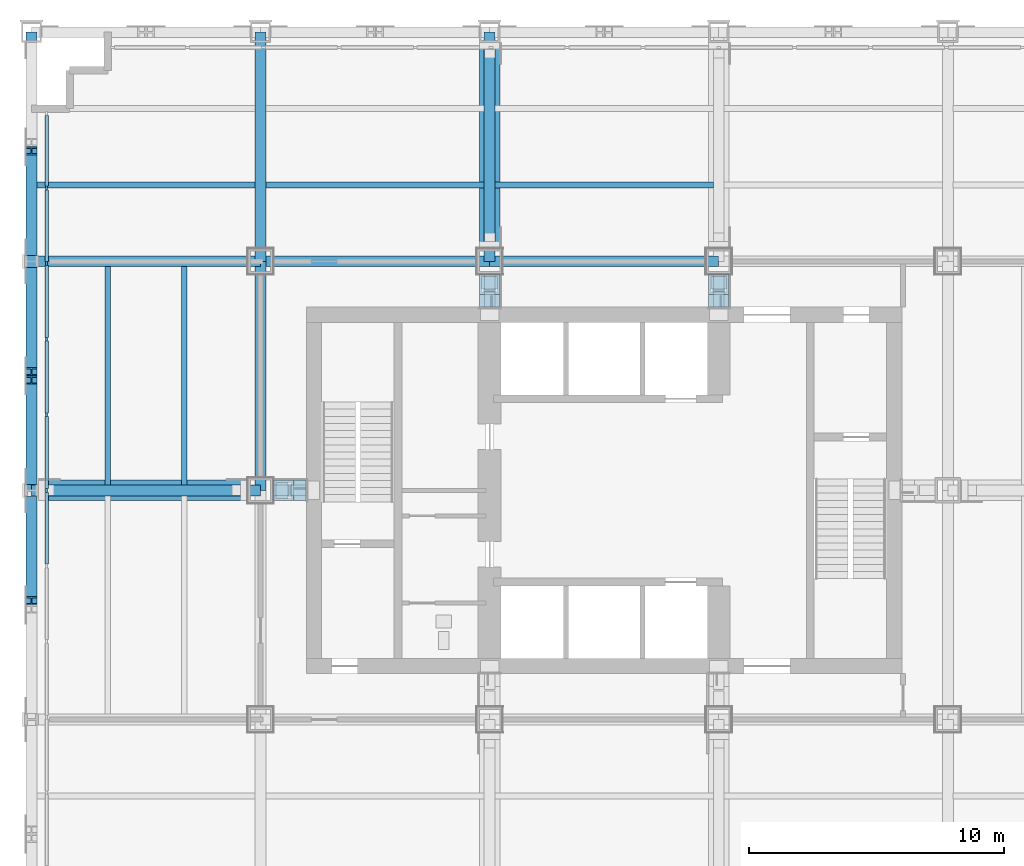
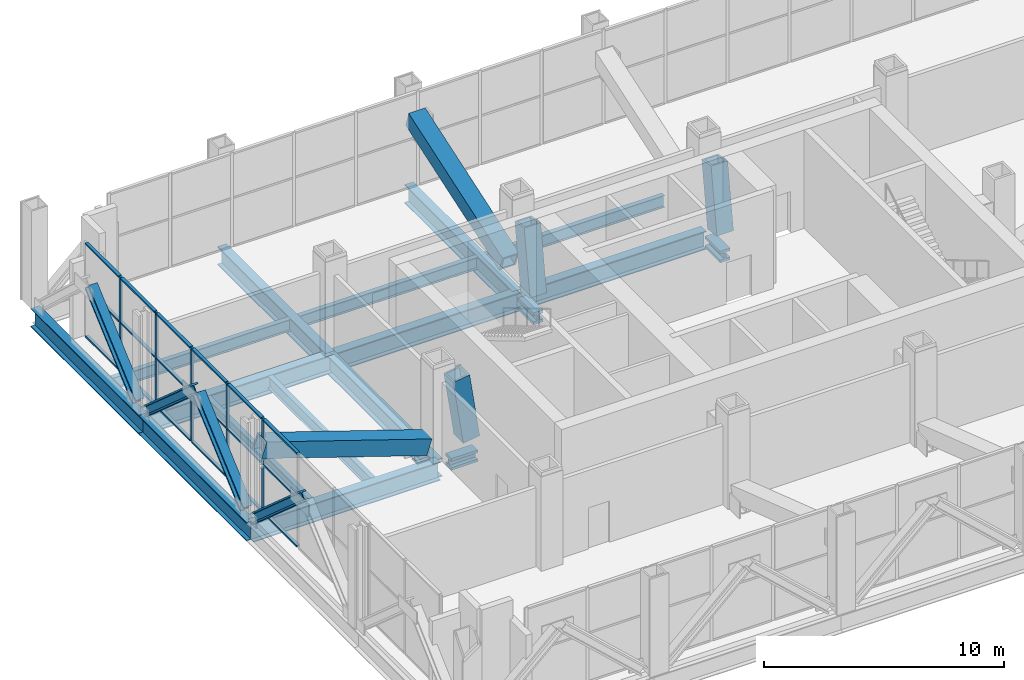
# One storey, part 4 of 19: 35 members, 14 beams, 1 element without a shape of its own.
"""IFC4 building model written with IfcOpenShell, lengths in metres."""

from ifc_helpers import new_model, si_unit, direction, frame, origin, origin_2d, place, context, subcontext, project, spatial, rectangle, hollow_rectangle, i_section, extrude, material, material_profile, profile_set, type_object, element, aggregate, save


model = new_model("IFC4")

# Units and contexts
model_context = context("Model", 3, precision=1e-05, world=origin(), true_north=direction((0.0, 1.0)))
body_context = subcontext(model_context, "Body", "Model", "MODEL_VIEW")
ifc_project = project(units=[si_unit("LENGTHUNIT", "METRE"), si_unit("AREAUNIT", "SQUARE_METRE"), si_unit("VOLUMEUNIT", "CUBIC_METRE"), si_unit("PLANEANGLEUNIT", "RADIAN"), si_unit("MASSUNIT", "GRAM", prefix="KILO")], contexts=[model_context])

# Site, building, storey
site_placement = place(None, origin())
site = spatial("IfcSite", under=ifc_project, at=site_placement, CompositionType="ELEMENT")
building_placement = place(site_placement, origin())
building = spatial("IfcBuilding", under=site, at=building_placement, Name="Loomwork Tower", CompositionType="ELEMENT")
storey_placement = place(building_placement, frame((0.0, 0.0, 89.199951171875)))
storey = spatial("IfcBuildingStorey", under=building, at=storey_placement, Name="L23", CompositionType="ELEMENT", Elevation=89.199951171875)

# Beams
ifc_material_1 = material(Name="Steel ASTM A992", Category="steel")
ifc_material_profile_1 = material_profile(ifc_material_1, i_section(OverallWidth=0.424072265625, OverallDepth=0.947509765625, WebThickness=0.02392578125, FlangeThickness=0.042724609375, at=origin_2d()), Name="W36x302")
ifc_profile_set_1 = profile_set([ifc_material_profile_1], Name="Steel ASTM A992")
beam_type_1 = type_object("IfcBeamType", Name="BELT CHORD SPANDREL W36x302", PredefinedType="SPANDREL", material=ifc_profile_set_1)
for number, where, z_axis, x_axis, name in (
    (1, (0.0, 18.0, -0.7236328125), (0.0, 1.0, 0.0), (-1.0, 0.0, 0.0), "Belt Chord Spandrel F/2-G/2 L23"),
    (2, (0.0, 27.0, -0.7236328125), (0.0, 1.0, 0.0), (-1.0, 0.0, 0.0), "Belt Chord Spandrel G/2-H/2 L23"),
):
    element("IfcBeam", number, at=place(storey_placement, frame(where, z_axis=z_axis, x_axis=x_axis)), inside=storey, type_object=beam_type_1, Name=name, PredefinedType="SPANDREL", context=body_context, shape_type="SweptSolid", body=[
        extrude(i_section(OverallWidth=0.424072265625, OverallDepth=0.947509765625, WebThickness=0.02392578125, FlangeThickness=0.042724609375, at=origin_2d()), origin(), (0.0, 0.0, 1.0), 9.0),
    ])

# Members
ifc_material_2 = material(Name="Steel ASTM A992", Category="steel")
ifc_material_profile_2 = material_profile(ifc_material_2, i_section(OverallWidth=0.424072265625, OverallDepth=0.47509765625, WebThickness=0.0478515625, FlangeThickness=0.0771484375, at=origin_2d()), Name="W14x426")
ifc_profile_set_2 = profile_set([ifc_material_profile_2], Name="Steel ASTM A992")
member_type_1 = type_object("IfcMemberType", Name="BELT TRUSS DIAGONAL W14x426", PredefinedType="BRACE", material=ifc_profile_set_2)
for number, where, z_axis, x_axis, name in (
    (3, (0.0, 17.608154296875, 0.188232421875), (0.0, -0.750111573839, 0.661311293411), (1.0, 0.0, 0.0), "Belt truss diagonal E/2-F/2 L23"),
    (4, (0.0, 18.391845703125, 0.188232421875), (0.0, 0.750111573839, 0.661311293411), (-1.0, 0.0, 0.0), "Belt truss diagonal F/2-G/2 L23"),
    (5, (0.0, 26.608154296875, 0.188232421875), (0.0, -0.750111573839, 0.661311293411), (1.0, 0.0, 0.0), "Belt truss diagonal F/2-G/2 L23"),
    (6, (0.0, 27.391845703125, 0.188232421875), (0.0, 0.750111573839, 0.661311293411), (-1.0, 0.0, 0.0), "Belt truss diagonal G/2-H/2 L23"),
):
    element("IfcMember", number, at=place(storey_placement, frame(where, z_axis=z_axis, x_axis=x_axis)), inside=storey, type_object=member_type_1, Name=name, PredefinedType="BRACE", context=body_context, shape_type="SweptSolid", body=[
        extrude(i_section(OverallWidth=0.424072265625, OverallDepth=0.47509765625, WebThickness=0.0478515625, FlangeThickness=0.0771484375, at=origin_2d()), origin(), (0.0, 0.0, 1.0), 5.256591796875),
    ])
ifc_material_3 = material(Name="Steel ASTM A572 Grade 50 plate", Category="steel")
ifc_material_profile_3 = material_profile(ifc_material_3, hollow_rectangle(XDim=0.800048828125, YDim=0.800048828125, WallThickness=0.090087890625, at=origin_2d()), Name="BOX800x90")
ifc_profile_set_3 = profile_set([ifc_material_profile_3], Name="Steel ASTM A572 Grade 50 plate")
member_type_2 = type_object("IfcMemberType", Name="OUTRIGGER DIAGONAL BOX800x90", PredefinedType="BRACE", material=ifc_profile_set_3)
member_1_placement = place(storey_placement, frame((0.411865234375, 18.0, 3.4609375), z_axis=(0.949441504033, 0.0, -0.31394399249), x_axis=(0.0, 1.0, 0.0)))
element("IfcMember", 7, at=member_1_placement, inside=storey, type_object=member_type_2, Name="Outrigger diagonal F/2 L23", PredefinedType="BRACE", context=body_context, shape_type="SweptSolid", body=[
    extrude(hollow_rectangle(XDim=0.800048828125, YDim=0.800048828125, WallThickness=0.090087890625, at=origin_2d()), origin(), (0.0, 0.0, 1.0), 8.373779296875),
])
member_2_placement = place(storey_placement, frame((9.90771484375, 18.0, 3.781982421875), z_axis=(0.146556688466, 0.0, -0.98920227308), x_axis=(0.0, 1.0, 0.0)))
element("IfcMember", 8, at=member_2_placement, inside=storey, type_object=member_type_2, Name="Outrigger diagonal F/3 L23", PredefinedType="BRACE", context=body_context, shape_type="SweptSolid", body=[
    extrude(hollow_rectangle(XDim=0.800048828125, YDim=0.800048828125, WallThickness=0.090087890625, at=origin_2d()), origin(), (0.0, 0.0, 1.0), 3.306640625),
])
member_3_placement = place(storey_placement, frame((18.0, 35.46044921875, 3.46142578125), z_axis=(0.0, -0.947848598928, -0.318720933593), x_axis=(1.0, 0.0, 0.0)))
element("IfcMember", 9, at=member_3_placement, inside=storey, type_object=member_type_2, Name="Outrigger diagonal H/4 L23", PredefinedType="BRACE", context=body_context, shape_type="SweptSolid", body=[
    extrude(hollow_rectangle(XDim=0.800048828125, YDim=0.800048828125, WallThickness=0.090087890625, at=origin_2d()), origin(), (0.0, 0.0, 1.0), 8.25146484375),
])
for number, where, z_axis, x_axis, name in (
    (10, (18.0, 26.09228515625, 3.781982421875), (0.0, -0.146556688466, -0.98920227308), (1.0, 0.0, 0.0), "Outrigger diagonal G/4 L23"),
    (11, (27.0, 26.09228515625, 3.781982421875), (0.0, -0.146556688466, -0.98920227308), (1.0, 0.0, 0.0), "Outrigger diagonal G/5 L23"),
):
    element("IfcMember", number, at=place(storey_placement, frame(where, z_axis=z_axis, x_axis=x_axis)), inside=storey, type_object=member_type_2, Name=name, PredefinedType="BRACE", context=body_context, shape_type="SweptSolid", body=[
        extrude(hollow_rectangle(XDim=0.800048828125, YDim=0.800048828125, WallThickness=0.090087890625, at=origin_2d()), origin(), (0.0, 0.0, 1.0), 3.306640625),
    ])

# Beams
ifc_material_4 = material(Name="Steel ASTM A992", Category="steel")
ifc_material_profile_4 = material_profile(ifc_material_4, i_section(OverallWidth=0.4267578125, OverallDepth=0.939697265625, WebThickness=0.028564453125, FlangeThickness=0.050537109375, at=origin_2d()), Name="W36x361")
ifc_profile_set_4 = profile_set([ifc_material_profile_4], Name="Steel ASTM A992")
beam_type_2 = type_object("IfcBeamType", Name="OUTRIGGER FLOOR GIRDER W36x361", PredefinedType="BEAM", material=ifc_profile_set_4)
for number, where, z_axis, x_axis, name in (
    (12, (0.0, 27.0, -0.719970703125), (1.0, 0.0, 0.0), (0.0, 1.0, 0.0), "Outrigger Floor Girder G/2-G/3 L23"),
    (13, (9.0, 27.0, -0.719970703125), (1.0, 0.0, 0.0), (0.0, 1.0, 0.0), "Outrigger Floor Girder G/3-G/4 L23"),
    (14, (18.0, 27.0, -0.719970703125), (1.0, 0.0, 0.0), (0.0, 1.0, 0.0), "Outrigger Floor Girder G/4-G/5 L23"),
    (15, (9.0, 18.0, -0.719970703125), (0.0, 1.0, 0.0), (-1.0, 0.0, 0.0), "Outrigger Floor Girder F/3-G/3 L23"),
    (16, (9.0, 27.0, -0.719970703125), (0.0, 1.0, 0.0), (-1.0, 0.0, 0.0), "Outrigger Floor Girder G/3-H/3 L23"),
):
    element("IfcBeam", number, at=place(storey_placement, frame(where, z_axis=z_axis, x_axis=x_axis)), inside=storey, type_object=beam_type_2, Name=name, PredefinedType="BEAM", context=body_context, shape_type="SweptSolid", body=[
        extrude(i_section(OverallWidth=0.4267578125, OverallDepth=0.939697265625, WebThickness=0.028564453125, FlangeThickness=0.050537109375, at=origin_2d()), origin(), (0.0, 0.0, 1.0), 9.0),
    ])
ifc_material_5 = material(Name="Steel ASTM A992", Category="steel")
ifc_material_profile_5 = material_profile(ifc_material_5, i_section(OverallWidth=0.424072265625, OverallDepth=0.947509765625, WebThickness=0.02392578125, FlangeThickness=0.042724609375, at=origin_2d()), Name="W36x302")
ifc_profile_set_5 = profile_set([ifc_material_profile_5], Name="Steel ASTM A992")
beam_type_3 = type_object("IfcBeamType", Name="OUTRIGGER GIRDER W36x302", PredefinedType="BEAM", material=ifc_profile_set_5)
for number, where, z_axis, x_axis, name in (
    (17, (0.0, 18.0, -0.7236328125), (1.0, 0.0, 0.0), (0.0, 1.0, 0.0), "Outrigger Girder F/2-F/3 L23"),
    (18, (18.0, 27.0, -0.7236328125), (0.0, 1.0, 0.0), (-1.0, 0.0, 0.0), "Outrigger Girder G/4-H/4 L23"),
):
    element("IfcBeam", number, at=place(storey_placement, frame(where, z_axis=z_axis, x_axis=x_axis)), inside=storey, type_object=beam_type_3, Name=name, PredefinedType="BEAM", context=body_context, shape_type="SweptSolid", body=[
        extrude(i_section(OverallWidth=0.424072265625, OverallDepth=0.947509765625, WebThickness=0.02392578125, FlangeThickness=0.042724609375, at=origin_2d()), origin(), (0.0, 0.0, 1.0), 9.0),
    ])

# Members
ifc_material_6 = material(Name="Steel ASTM A992", Category="steel")
ifc_material_profile_6 = material_profile(ifc_material_6, i_section(OverallWidth=0.4775390625, OverallDepth=0.599365234375, WebThickness=0.10009765625, FlangeThickness=0.139892578125, at=origin_2d()), Name="W14x873")
ifc_profile_set_6 = profile_set([ifc_material_profile_6], Name="Steel ASTM A992")
member_type_3 = type_object("IfcMemberType", Name="OUTRIGGER STRUT W14x873", PredefinedType="STRUT", material=ifc_profile_set_6)
for number, where, z_axis, x_axis, name in (
    (19, (27.0, 26.489990234375, -0.549560546875), (0.0, -1.0, 0.0), (1.0, 0.0, 0.0), "Outrigger strut G/5-27.000,24.900 L23"),
    (20, (18.0, 26.489990234375, -0.549560546875), (0.0, -1.0, 0.0), (1.0, 0.0, 0.0), "Outrigger strut G/4-18.000,24.900 L23"),
    (21, (9.510009765625, 18.0, -0.549560546875), (1.0, 0.0, 0.0), (0.0, 1.0, 0.0), "Outrigger strut F/3-11.100,18.000 L23"),
):
    element("IfcMember", number, at=place(storey_placement, frame(where, z_axis=z_axis, x_axis=x_axis)), inside=storey, type_object=member_type_3, Name=name, PredefinedType="STRUT", context=body_context, shape_type="SweptSolid", body=[
        extrude(i_section(OverallWidth=0.4775390625, OverallDepth=0.599365234375, WebThickness=0.10009765625, FlangeThickness=0.139892578125, at=origin_2d()), origin(), (0.0, 0.0, 1.0), 1.27490234375),
    ])

# Beams
ifc_material_7 = material(Name="Steel ASTM A992", Category="steel")
ifc_material_profile_7 = material_profile(ifc_material_7, i_section(OverallWidth=0.228271484375, OverallDepth=0.607177734375, WebThickness=0.01123046875, FlangeThickness=0.017333984375, at=origin_2d()), Name="W24x76")
ifc_profile_set_7 = profile_set([ifc_material_profile_7], Name="Steel ASTM A992")
beam_type_4 = type_object("IfcBeamType", Name="PLANT FLOOR JOIST W24x76", PredefinedType="JOIST", material=ifc_profile_set_7)
for number, where, z_axis, x_axis, name in (
    (22, (3.0, 18.2119140625, -0.553466796875), (0.0, 1.0, 0.0), (-1.0, 0.0, 0.0), "Plant Floor Joist 3.000,18.000-3.000,27.000 L23"),
    (23, (6.0, 18.2119140625, -0.553466796875), (0.0, 1.0, 0.0), (-1.0, 0.0, 0.0), "Plant Floor Joist 6.000,18.000-6.000,27.000 L23"),
    (24, (0.2119140625, 30.0, -0.553466796875), (1.0, 0.0, 0.0), (0.0, 1.0, 0.0), "Plant Floor Joist 0.000,30.000-9.000,30.000 L23"),
    (25, (9.212890625, 30.0, -0.553466796875), (1.0, 0.0, 0.0), (0.0, 1.0, 0.0), "Plant Floor Joist 9.000,30.000-18.000,30.000 L23"),
):
    element("IfcBeam", number, at=place(storey_placement, frame(where, z_axis=z_axis, x_axis=x_axis)), inside=storey, type_object=beam_type_4, Name=name, PredefinedType="JOIST", context=body_context, shape_type="SweptSolid", body=[
        extrude(i_section(OverallWidth=0.228271484375, OverallDepth=0.607177734375, WebThickness=0.01123046875, FlangeThickness=0.017333984375, at=origin_2d()), origin(), (0.0, 0.0, 1.0), 8.5751953125),
    ])
beam_placement = place(storey_placement, frame((18.2119140625, 30.0, -0.553466796875), z_axis=(1.0, 0.0, 0.0), x_axis=(0.0, 1.0, 0.0)))
element("IfcBeam", 26, at=beam_placement, inside=storey, type_object=beam_type_4, Name="Plant Floor Joist 18.000,30.000-27.000,30.000 L23", PredefinedType="JOIST", context=body_context, shape_type="SweptSolid", body=[
    extrude(i_section(OverallWidth=0.228271484375, OverallDepth=0.607177734375, WebThickness=0.01123046875, FlangeThickness=0.017333984375, at=origin_2d()), origin(), (0.0, 0.0, 1.0), 8.576171875),
])

# Curtain wall, members
ifc_material_8 = material(Name="Aluminium louvre frame", Category="aluminium")
curtain_wall_type = type_object("IfcCurtainWallType", Name="Plant floor louvre screen", PredefinedType="NOTDEFINED", material=ifc_material_8)
curtain_wall_placement = place(storey_placement, origin())
curtain_wall = element("IfcCurtainWall", 27, at=curtain_wall_placement, inside=storey, type_object=curtain_wall_type, Name="Plant floor louvre screen cw/W", PredefinedType="NOTDEFINED")
ifc_material_9 = material(Name="Aluminium louvre frame", Category="aluminium")
ifc_material_profile_8 = material_profile(ifc_material_9, rectangle(XDim=0.080078125, YDim=0.14990234375, at=origin_2d()), Name="AL 80x150")
ifc_profile_set_8 = profile_set([ifc_material_profile_8], Name="Aluminium louvre frame")
member_type_4 = type_object("IfcMemberType", Name="Plant floor louvre screen mullion", PredefinedType="MULLION", material=ifc_profile_set_8)
member_4_placement = place(storey_placement, frame((0.60009765625, 29.8798828125, 0.0), z_axis=(0.0, 0.0, 1.0), x_axis=(1.0, 0.0, 0.0)))
member_4 = element("IfcMember", 28, at=member_4_placement, type_object=member_type_4, Name="CW4 mullion 2", PredefinedType="MULLION", context=body_context, shape_type="SweptSolid", body=[
    extrude(rectangle(XDim=0.080078125, YDim=0.14990234375, at=origin_2d()), origin(), (0.0, 0.0, 1.0), 4.800048828125),
])
member_5_placement = place(storey_placement, frame((0.60009765625, 26.909912109375, 0.0), z_axis=(0.0, 0.0, 1.0), x_axis=(1.0, 0.0, 0.0)))
member_5 = element("IfcMember", 29, at=member_5_placement, type_object=member_type_4, Name="CW4 mullion 3", PredefinedType="MULLION", context=body_context, shape_type="SweptSolid", body=[
    extrude(rectangle(XDim=0.080078125, YDim=0.14990234375, at=origin_2d()), origin(), (0.0, 0.0, 1.0), 4.800048828125),
])
member_6_placement = place(storey_placement, frame((0.60009765625, 23.93994140625, 0.0), z_axis=(0.0, 0.0, 1.0), x_axis=(1.0, 0.0, 0.0)))
member_6 = element("IfcMember", 30, at=member_6_placement, type_object=member_type_4, Name="CW4 mullion 4", PredefinedType="MULLION", context=body_context, shape_type="SweptSolid", body=[
    extrude(rectangle(XDim=0.080078125, YDim=0.14990234375, at=origin_2d()), origin(), (0.0, 0.0, 1.0), 4.800048828125),
])
member_7_placement = place(storey_placement, frame((0.60009765625, 20.969970703125, 0.0), z_axis=(0.0, 0.0, 1.0), x_axis=(1.0, 0.0, 0.0)))
member_7 = element("IfcMember", 31, at=member_7_placement, type_object=member_type_4, Name="CW4 mullion 5", PredefinedType="MULLION", context=body_context, shape_type="SweptSolid", body=[
    extrude(rectangle(XDim=0.080078125, YDim=0.14990234375, at=origin_2d()), origin(), (0.0, 0.0, 1.0), 4.800048828125),
])
member_8_placement = place(storey_placement, frame((0.60009765625, 18.0, 0.0), z_axis=(0.0, 0.0, 1.0), x_axis=(1.0, 0.0, 0.0)))
member_8 = element("IfcMember", 32, at=member_8_placement, type_object=member_type_4, Name="CW4 mullion 6", PredefinedType="MULLION", context=body_context, shape_type="SweptSolid", body=[
    extrude(rectangle(XDim=0.080078125, YDim=0.14990234375, at=origin_2d()), origin(), (0.0, 0.0, 1.0), 4.800048828125),
])
ifc_material_10 = material(Name="Aluminium louvre frame", Category="aluminium")
ifc_material_profile_9 = material_profile(ifc_material_10, rectangle(XDim=0.14990234375, YDim=0.080078125, at=origin_2d()), Name="AL 80x150")
ifc_profile_set_9 = profile_set([ifc_material_profile_9], Name="Aluminium louvre frame")
member_type_5 = type_object("IfcMemberType", Name="Plant floor louvre screen transom", PredefinedType="USERDEFINED", material=ifc_profile_set_9)
member_9_placement = place(storey_placement, frame((0.60009765625, 32.735107421875, 0.0400390625), z_axis=(0.0, -1.0, 0.0), x_axis=(1.0, 0.0, 0.0)))
member_9 = element("IfcMember", 33, at=member_9_placement, type_object=member_type_5, Name="CW4 transom 1.1", ObjectType="TRANSOM", PredefinedType="USERDEFINED", context=body_context, shape_type="SweptSolid", body=[
    extrude(rectangle(XDim=0.14990234375, YDim=0.080078125, at=origin_2d()), origin(), (0.0, 0.0, 1.0), 2.780029296875),
])
member_10_placement = place(storey_placement, frame((0.60009765625, 32.735107421875, 2.5), z_axis=(0.0, -1.0, 0.0), x_axis=(1.0, 0.0, 0.0)))
member_10 = element("IfcMember", 34, at=member_10_placement, type_object=member_type_5, Name="CW4 transom 1.2", ObjectType="TRANSOM", PredefinedType="USERDEFINED", context=body_context, shape_type="SweptSolid", body=[
    extrude(rectangle(XDim=0.14990234375, YDim=0.080078125, at=origin_2d()), origin(), (0.0, 0.0, 1.0), 2.780029296875),
])
member_11_placement = place(storey_placement, frame((0.60009765625, 32.735107421875, 4.760009765625), z_axis=(0.0, -1.0, 0.0), x_axis=(1.0, 0.0, 0.0)))
member_11 = element("IfcMember", 35, at=member_11_placement, type_object=member_type_5, Name="CW4 transom 1.3", ObjectType="TRANSOM", PredefinedType="USERDEFINED", context=body_context, shape_type="SweptSolid", body=[
    extrude(rectangle(XDim=0.14990234375, YDim=0.080078125, at=origin_2d()), origin(), (0.0, 0.0, 1.0), 2.780029296875),
])
member_12_placement = place(storey_placement, frame((0.60009765625, 29.804931640625, 0.0400390625), z_axis=(0.0, -1.0, 0.0), x_axis=(1.0, 0.0, 0.0)))
member_12 = element("IfcMember", 36, at=member_12_placement, type_object=member_type_5, Name="CW4 transom 2.1", ObjectType="TRANSOM", PredefinedType="USERDEFINED", context=body_context, shape_type="SweptSolid", body=[
    extrude(rectangle(XDim=0.14990234375, YDim=0.080078125, at=origin_2d()), origin(), (0.0, 0.0, 1.0), 2.81982421875),
])
member_13_placement = place(storey_placement, frame((0.60009765625, 29.804931640625, 2.5), z_axis=(0.0, -1.0, 0.0), x_axis=(1.0, 0.0, 0.0)))
member_13 = element("IfcMember", 37, at=member_13_placement, type_object=member_type_5, Name="CW4 transom 2.2", ObjectType="TRANSOM", PredefinedType="USERDEFINED", context=body_context, shape_type="SweptSolid", body=[
    extrude(rectangle(XDim=0.14990234375, YDim=0.080078125, at=origin_2d()), origin(), (0.0, 0.0, 1.0), 2.81982421875),
])
member_14_placement = place(storey_placement, frame((0.60009765625, 29.804931640625, 4.760009765625), z_axis=(0.0, -1.0, 0.0), x_axis=(1.0, 0.0, 0.0)))
member_14 = element("IfcMember", 38, at=member_14_placement, type_object=member_type_5, Name="CW4 transom 2.3", ObjectType="TRANSOM", PredefinedType="USERDEFINED", context=body_context, shape_type="SweptSolid", body=[
    extrude(rectangle(XDim=0.14990234375, YDim=0.080078125, at=origin_2d()), origin(), (0.0, 0.0, 1.0), 2.81982421875),
])
member_15_placement = place(storey_placement, frame((0.60009765625, 26.8349609375, 0.0400390625), z_axis=(0.0, -1.0, 0.0), x_axis=(1.0, 0.0, 0.0)))
member_15 = element("IfcMember", 39, at=member_15_placement, type_object=member_type_5, Name="CW4 transom 3.1", ObjectType="TRANSOM", PredefinedType="USERDEFINED", context=body_context, shape_type="SweptSolid", body=[
    extrude(rectangle(XDim=0.14990234375, YDim=0.080078125, at=origin_2d()), origin(), (0.0, 0.0, 1.0), 2.820068359375),
])
member_16_placement = place(storey_placement, frame((0.60009765625, 26.8349609375, 2.5), z_axis=(0.0, -1.0, 0.0), x_axis=(1.0, 0.0, 0.0)))
member_16 = element("IfcMember", 40, at=member_16_placement, type_object=member_type_5, Name="CW4 transom 3.2", ObjectType="TRANSOM", PredefinedType="USERDEFINED", context=body_context, shape_type="SweptSolid", body=[
    extrude(rectangle(XDim=0.14990234375, YDim=0.080078125, at=origin_2d()), origin(), (0.0, 0.0, 1.0), 2.820068359375),
])
member_17_placement = place(storey_placement, frame((0.60009765625, 26.8349609375, 4.760009765625), z_axis=(0.0, -1.0, 0.0), x_axis=(1.0, 0.0, 0.0)))
member_17 = element("IfcMember", 41, at=member_17_placement, type_object=member_type_5, Name="CW4 transom 3.3", ObjectType="TRANSOM", PredefinedType="USERDEFINED", context=body_context, shape_type="SweptSolid", body=[
    extrude(rectangle(XDim=0.14990234375, YDim=0.080078125, at=origin_2d()), origin(), (0.0, 0.0, 1.0), 2.820068359375),
])
member_18_placement = place(storey_placement, frame((0.60009765625, 23.864990234375, 0.0400390625), z_axis=(0.0, -1.0, 0.0), x_axis=(1.0, 0.0, 0.0)))
member_18 = element("IfcMember", 42, at=member_18_placement, type_object=member_type_5, Name="CW4 transom 4.1", ObjectType="TRANSOM", PredefinedType="USERDEFINED", context=body_context, shape_type="SweptSolid", body=[
    extrude(rectangle(XDim=0.14990234375, YDim=0.080078125, at=origin_2d()), origin(), (0.0, 0.0, 1.0), 2.820068359375),
])
member_19_placement = place(storey_placement, frame((0.60009765625, 23.864990234375, 2.5), z_axis=(0.0, -1.0, 0.0), x_axis=(1.0, 0.0, 0.0)))
member_19 = element("IfcMember", 43, at=member_19_placement, type_object=member_type_5, Name="CW4 transom 4.2", ObjectType="TRANSOM", PredefinedType="USERDEFINED", context=body_context, shape_type="SweptSolid", body=[
    extrude(rectangle(XDim=0.14990234375, YDim=0.080078125, at=origin_2d()), origin(), (0.0, 0.0, 1.0), 2.820068359375),
])
member_20_placement = place(storey_placement, frame((0.60009765625, 23.864990234375, 4.760009765625), z_axis=(0.0, -1.0, 0.0), x_axis=(1.0, 0.0, 0.0)))
member_20 = element("IfcMember", 44, at=member_20_placement, type_object=member_type_5, Name="CW4 transom 4.3", ObjectType="TRANSOM", PredefinedType="USERDEFINED", context=body_context, shape_type="SweptSolid", body=[
    extrude(rectangle(XDim=0.14990234375, YDim=0.080078125, at=origin_2d()), origin(), (0.0, 0.0, 1.0), 2.820068359375),
])
member_21_placement = place(storey_placement, frame((0.60009765625, 20.89501953125, 0.0400390625), z_axis=(0.0, -1.0, 0.0), x_axis=(1.0, 0.0, 0.0)))
member_21 = element("IfcMember", 45, at=member_21_placement, type_object=member_type_5, Name="CW4 transom 5.1", ObjectType="TRANSOM", PredefinedType="USERDEFINED", context=body_context, shape_type="SweptSolid", body=[
    extrude(rectangle(XDim=0.14990234375, YDim=0.080078125, at=origin_2d()), origin(), (0.0, 0.0, 1.0), 2.820068359375),
])
member_22_placement = place(storey_placement, frame((0.60009765625, 20.89501953125, 2.5), z_axis=(0.0, -1.0, 0.0), x_axis=(1.0, 0.0, 0.0)))
member_22 = element("IfcMember", 46, at=member_22_placement, type_object=member_type_5, Name="CW4 transom 5.2", ObjectType="TRANSOM", PredefinedType="USERDEFINED", context=body_context, shape_type="SweptSolid", body=[
    extrude(rectangle(XDim=0.14990234375, YDim=0.080078125, at=origin_2d()), origin(), (0.0, 0.0, 1.0), 2.820068359375),
])
member_23_placement = place(storey_placement, frame((0.60009765625, 20.89501953125, 4.760009765625), z_axis=(0.0, -1.0, 0.0), x_axis=(1.0, 0.0, 0.0)))
member_23 = element("IfcMember", 47, at=member_23_placement, type_object=member_type_5, Name="CW4 transom 5.3", ObjectType="TRANSOM", PredefinedType="USERDEFINED", context=body_context, shape_type="SweptSolid", body=[
    extrude(rectangle(XDim=0.14990234375, YDim=0.080078125, at=origin_2d()), origin(), (0.0, 0.0, 1.0), 2.820068359375),
])
member_24_placement = place(storey_placement, frame((0.60009765625, 17.925048828125, 0.0400390625), z_axis=(0.0, -1.0, 0.0), x_axis=(1.0, 0.0, 0.0)))
member_24 = element("IfcMember", 48, at=member_24_placement, type_object=member_type_5, Name="CW4 transom 6.1", ObjectType="TRANSOM", PredefinedType="USERDEFINED", context=body_context, shape_type="SweptSolid", body=[
    extrude(rectangle(XDim=0.14990234375, YDim=0.080078125, at=origin_2d()), origin(), (0.0, 0.0, 1.0), 2.820068359375),
])
member_25_placement = place(storey_placement, frame((0.60009765625, 17.925048828125, 2.5), z_axis=(0.0, -1.0, 0.0), x_axis=(1.0, 0.0, 0.0)))
member_25 = element("IfcMember", 49, at=member_25_placement, type_object=member_type_5, Name="CW4 transom 6.2", ObjectType="TRANSOM", PredefinedType="USERDEFINED", context=body_context, shape_type="SweptSolid", body=[
    extrude(rectangle(XDim=0.14990234375, YDim=0.080078125, at=origin_2d()), origin(), (0.0, 0.0, 1.0), 2.820068359375),
])
member_26_placement = place(storey_placement, frame((0.60009765625, 17.925048828125, 4.760009765625), z_axis=(0.0, -1.0, 0.0), x_axis=(1.0, 0.0, 0.0)))
member_26 = element("IfcMember", 50, at=member_26_placement, type_object=member_type_5, Name="CW4 transom 6.3", ObjectType="TRANSOM", PredefinedType="USERDEFINED", context=body_context, shape_type="SweptSolid", body=[
    extrude(rectangle(XDim=0.14990234375, YDim=0.080078125, at=origin_2d()), origin(), (0.0, 0.0, 1.0), 2.820068359375),
])
aggregate(curtain_wall, [member_4, member_5, member_6, member_7, member_8, member_9, member_10, member_11, member_12, member_13, member_14, member_15, member_16, member_17, member_18, member_19, member_20, member_21, member_22, member_23, member_24, member_25, member_26])

save(model, "model.ifc")
